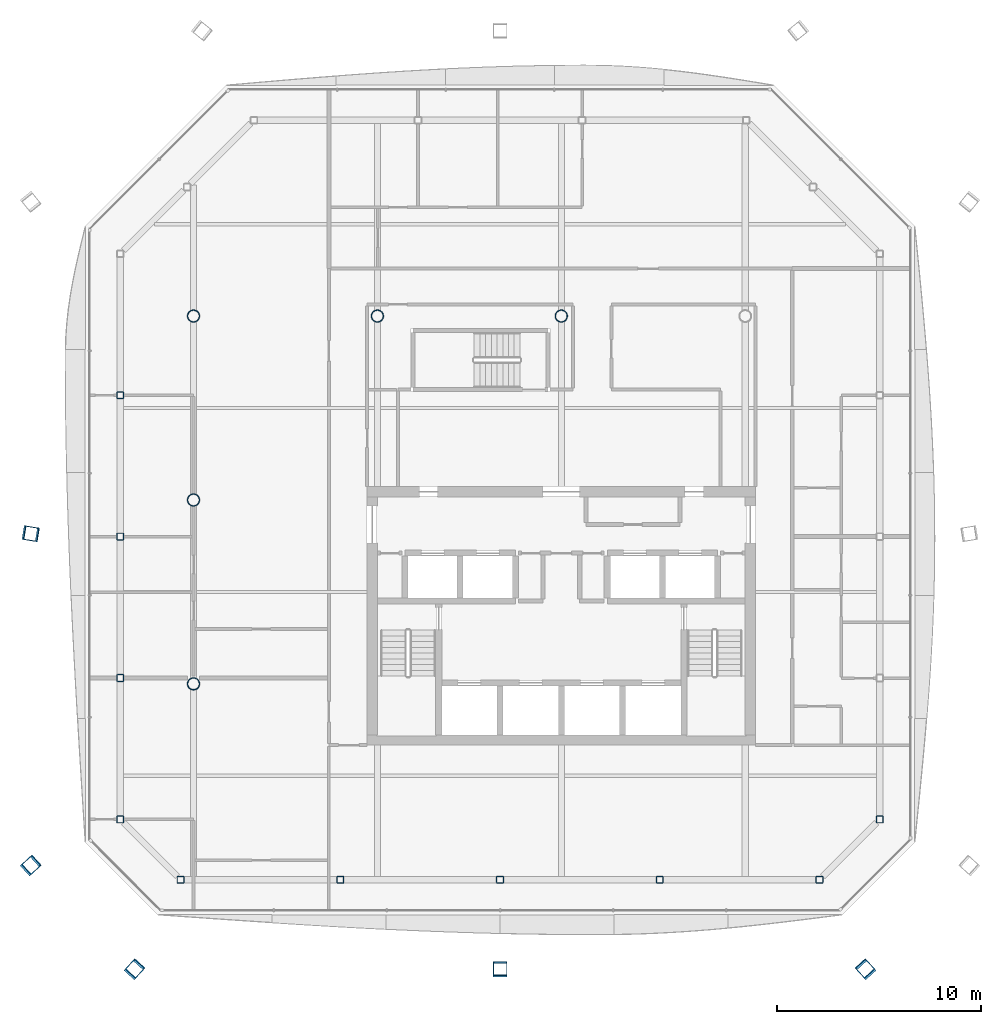
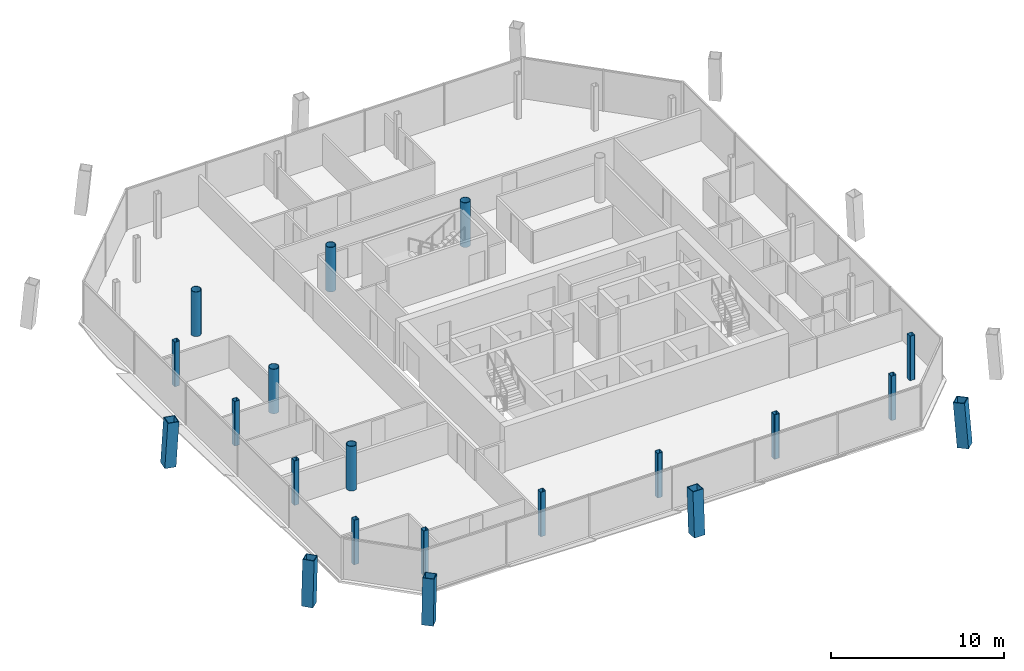
# One storey, part 1 of 20: 20 columns.
"""IFC4 building model written with IfcOpenShell, lengths in metres."""

import ifcopenshell
import ifcopenshell.guid

model = None  # the IFC model being written
_history = None  # IfcOwnerHistory: only IFC2X3 demands one
_inside = {}  # id of a spatial element -> (the spatial element, [elements in it])
_under = {}  # id of a project, library or spatial element -> (it, [spatial elements below it])
_declared = {}  # id of a project -> (the project, [libraries it declares])
_typed = {}  # id of a type object -> (the type object, [elements of that type])
_made_of = {}  # id of a material, layer set ... -> (it, [elements and type objects made of it])


def new_model(schema):
    """Start an empty IFC model of exactly this schema.

    Asked for "IFC4X3", IfcOpenShell would pick the latest addendum, in which some entities
    have other attributes; the version numbers below select the first issue.
    IFC2X3 requires an IfcOwnerHistory on every rooted entity: one is made here for all.
    """
    global model, _history
    if schema == "IFC4X3":
        model = ifcopenshell.file(schema_version=(4, 3, 0, 0))
    else:
        model = ifcopenshell.file(schema=schema)
    _inside.clear()
    _under.clear()
    _declared.clear()
    _typed.clear()
    _made_of.clear()
    _history = None
    if model.schema == "IFC2X3":
        org = make("IfcOrganization", Name="unknown")
        user = make(
            "IfcPersonAndOrganization",
            ThePerson=make("IfcPerson", FamilyName="unknown"),
            TheOrganization=org,
        )
        app = make(
            "IfcApplication",
            ApplicationDeveloper=org,
            Version="unknown",
            ApplicationFullName="unknown",
            ApplicationIdentifier="unknown",
        )
        _history = make(
            "IfcOwnerHistory",
            OwningUser=user,
            OwningApplication=app,
            ChangeAction="ADDED",
            CreationDate=0,
        )
    return model


def make(cls, **values):
    """One entity of the class cls with the attributes given. An attribute that is None is left unset."""
    return model.create_entity(
        cls, **{name: value for name, value in values.items() if value is not None}
    )


def rooted(cls, **values):
    """An entity with a GlobalId (a new one), such as an element, a storey or a relation."""
    return make(cls, GlobalId=ifcopenshell.guid.new(), OwnerHistory=_history, **values)


def si_unit(unit_type, name, prefix=None):
    """IfcSIUnit, for example si_unit("LENGTHUNIT", "METRE", prefix="MILLI")."""
    return make("IfcSIUnit", UnitType=unit_type, Prefix=prefix, Name=name)


def assignment(units):
    """IfcUnitAssignment: the units of a project."""
    return None if units is None else make("IfcUnitAssignment", Units=units)


def point(xyz):
    """IfcCartesianPoint."""
    return None if xyz is None else make("IfcCartesianPoint", Coordinates=xyz)


def direction(xyz):
    """IfcDirection."""
    return None if xyz is None else make("IfcDirection", DirectionRatios=xyz)


def frame(location, z_axis=None, x_axis=None):
    """IfcAxis2Placement3D, a coordinate frame: its origin and axes. An axis left out is left unset."""
    return make(
        "IfcAxis2Placement3D",
        Location=point(location),
        Axis=direction(z_axis),
        RefDirection=direction(x_axis),
    )


def frame_2d(location, x_axis=None):
    """IfcAxis2Placement2D, a coordinate frame in the plane: its origin and x axis."""
    return make(
        "IfcAxis2Placement2D", Location=point(location), RefDirection=direction(x_axis)
    )


def origin():
    """The frame at (0, 0, 0) with its axes left unset."""
    return frame((0.0, 0.0, 0.0))


def origin_2d():
    """The frame at (0, 0) in the plane with its x axis left unset."""
    return frame_2d((0.0, 0.0))


def place(relative_to, where):
    """IfcLocalPlacement: puts the frame where relative to a parent placement (None: the world)."""
    return make(
        "IfcLocalPlacement", PlacementRelTo=relative_to, RelativePlacement=where
    )


def context(
    kind, dimensions, precision=None, world=None, true_north=None, identifier=None
):
    """IfcGeometricRepresentationContext, for example the 3D "Model" context."""
    return make(
        "IfcGeometricRepresentationContext",
        ContextIdentifier=identifier,
        ContextType=kind,
        CoordinateSpaceDimension=dimensions,
        Precision=precision,
        WorldCoordinateSystem=world,
        TrueNorth=true_north,
    )


def subcontext(parent, identifier, kind, view, scale=None):
    """IfcGeometricRepresentationSubContext, for example "Body" below "Model"."""
    return make(
        "IfcGeometricRepresentationSubContext",
        ContextIdentifier=identifier,
        ContextType=kind,
        ParentContext=parent,
        TargetScale=scale,
        TargetView=view,
    )


def project(units=None, contexts=None):
    """IfcProject with its units and contexts."""
    return rooted(
        "IfcProject",
        Name="project",
        RepresentationContexts=contexts,
        UnitsInContext=assignment(units),
    )


def spatial(cls, under=None, at=None, **own):
    """A site, building, storey or space (cls), placed at a placement, below another one or the project."""
    s = rooted(cls, ObjectPlacement=at, **own)
    if under is not None:
        _under.setdefault(under.id(), (under, []))[1].append(s)
    return s


def profile(cls, at=None, kind="AREA", **sizes):
    """A parametric profile (cls). Its sizes go by their IFC names, for example OverallWidth=200.0."""
    return make(cls, ProfileType=kind, Position=at, **sizes)


def hollow_rectangle(**sizes):
    """IfcRectangleHollowProfileDef."""
    return profile("IfcRectangleHollowProfileDef", **sizes)


def hollow_circle(**sizes):
    """IfcCircleHollowProfileDef."""
    return profile("IfcCircleHollowProfileDef", **sizes)


def extrude(swept, where, along, depth):
    """IfcExtrudedAreaSolid: the profile swept, set in the frame where, extruded along a direction by depth."""
    return make(
        "IfcExtrudedAreaSolid",
        SweptArea=swept,
        Position=where,
        ExtrudedDirection=direction(along),
        Depth=depth,
    )


def shape(context_of_items, identifier, shape_type, items):
    """IfcShapeRepresentation: the items that make up one representation, for example the "Body"."""
    return make(
        "IfcShapeRepresentation",
        ContextOfItems=context_of_items,
        RepresentationIdentifier=identifier,
        RepresentationType=shape_type,
        Items=items,
    )


def material(Name=None, Category=None):
    """IfcMaterial."""
    return make("IfcMaterial", Name=Name, Category=Category)


def material_profile(
    of_material, cross_section, Name=None, Category=None, Priority=None
):
    """IfcMaterialProfile: a cross section and its material."""
    return make(
        "IfcMaterialProfile",
        Name=Name,
        Material=of_material,
        Profile=cross_section,
        Priority=Priority,
        Category=Category,
    )


def profile_set(profiles, Name=None, composite=None):
    """IfcMaterialProfileSet."""
    return make(
        "IfcMaterialProfileSet",
        Name=Name,
        MaterialProfiles=profiles,
        CompositeProfile=composite,
    )


def made_of(thing, what):
    """Note that an element or type object is made of a material, layer set ...; save() writes the relation."""
    if what is not None:
        _made_of.setdefault(what.id(), (what, []))[1].append(thing)
    return thing


def type_object(cls, material=None, **own):
    """A type object (cls), such as IfcWallType, which elements share."""
    return made_of(rooted(cls, **own), material)


def element(
    cls,
    number,
    at=None,
    inside=None,
    cuts=None,
    type_object=None,
    material=None,
    context=None,
    identifier="Body",
    shape_type=None,
    held_by="IfcProductDefinitionShape",
    body=None,
    shapes=None,
    **own,
):
    """One element of the class cls, such as IfcWall. Its Tag is "e" and its number.

    at: its placement. inside: the storey or other place that contains it. cuts: it is an
    opening in that element (IfcRelVoidsElement). A single representation is given by context,
    identifier, shape_type and body (its items); several are given by shapes. held_by: the class
    of the entity that holds the representations. save() writes the other relations.
    """
    e = rooted(cls, Tag="e%d" % number, ObjectPlacement=at, **own)
    if body is not None:
        shapes = [shape(context, identifier, shape_type, body)]
    if shapes is not None:
        e.Representation = make(held_by, Representations=shapes)
    if inside is not None:
        _inside.setdefault(inside.id(), (inside, []))[1].append(e)
    if cuts is not None:
        rooted(
            "IfcRelVoidsElement", RelatingBuildingElement=cuts, RelatedOpeningElement=e
        )
    if type_object is not None:
        _typed.setdefault(type_object.id(), (type_object, []))[1].append(e)
    return made_of(e, material)


def aggregate(whole, parts):
    """IfcRelAggregates: a whole, such as a stair, and the parts it consists of."""
    return rooted("IfcRelAggregates", RelatingObject=whole, RelatedObjects=parts)


def save(model, path):
    """Write the relations noted so far, then the file.

    IfcRelAggregates (storeys below a building ...), IfcRelContainedInSpatialStructure (elements
    in a storey), IfcRelDefinesByType, IfcRelAssociatesMaterial and IfcRelDeclares: one each for
    every whole, place, type object, material and project.
    """
    for whole, parts in _under.values():
        aggregate(whole, parts)
    for where, things in _inside.values():
        rooted(
            "IfcRelContainedInSpatialStructure",
            RelatedElements=things,
            RelatingStructure=where,
        )
    for kind, things in _typed.values():
        rooted("IfcRelDefinesByType", RelatedObjects=things, RelatingType=kind)
    for what, things in _made_of.values():
        rooted("IfcRelAssociatesMaterial", RelatedObjects=things, RelatingMaterial=what)
    for by, libraries in _declared.values():
        rooted("IfcRelDeclares", RelatingContext=by, RelatedDefinitions=libraries)
    model.write(path)


model = new_model("IFC4")

# Units and contexts
model_context = context("Model", 3, precision=1e-05, world=origin(), true_north=direction((0.0, 1.0)))
body_context = subcontext(model_context, "Body", "Model", "MODEL_VIEW")
ifc_project = project(units=[si_unit("LENGTHUNIT", "METRE"), si_unit("AREAUNIT", "SQUARE_METRE"), si_unit("VOLUMEUNIT", "CUBIC_METRE"), si_unit("PLANEANGLEUNIT", "RADIAN"), si_unit("MASSUNIT", "GRAM", prefix="KILO")], contexts=[model_context])

# Site, building, storey
site_placement = place(None, origin())
site = spatial("IfcSite", under=ifc_project, at=site_placement, CompositionType="ELEMENT")
building_placement = place(site_placement, origin())
building = spatial("IfcBuilding", under=site, at=building_placement, Name="Tskaro Facet Tower", CompositionType="ELEMENT")
storey_placement = place(building_placement, frame((0.0, 0.0, 194.25)))
storey = spatial("IfcBuildingStorey", under=building, at=storey_placement, Name="L49", CompositionType="ELEMENT", Elevation=194.25)

# Columns
ifc_material_1 = material(Name="Steel S460M", Category="steel")
ifc_material_profile_1 = material_profile(ifc_material_1, hollow_rectangle(XDim=0.699951171875, YDim=0.699951171875, WallThickness=0.044921875, at=origin_2d()), Name="BOX 700x700x45")
ifc_profile_set_1 = profile_set([ifc_material_profile_1], Name="Steel S460M")
column_type_1 = type_object("IfcColumnType", Name="BOX 700x700x45 mega column", PredefinedType="COLUMN", material=ifc_profile_set_1)
column_1_placement = place(storey_placement, frame((-20.91796875, -22.998046875, 0.0), z_axis=(0.052851719252, 0.057951446548, 0.996919417814), x_axis=(-0.738869281565, 0.673848784787, 0.0)))
element("IfcColumn", 1, at=column_1_placement, inside=storey, type_object=column_type_1, Name="BOX 700x700x45 MC01/4", PredefinedType="COLUMN", context=body_context, shape_type="SweptSolid", body=[
    extrude(hollow_rectangle(XDim=0.699951171875, YDim=0.699951171875, WallThickness=0.044921875, at=origin_2d()), origin(), (0.0, 0.0, 1.0), 3.15966796875),
])
column_2_placement = place(storey_placement, frame((-3.0, -22.998046875, 0.0), z_axis=(0.0, 0.058032554517, 0.998314691175), x_axis=(-1.0, 0.0, 0.0)))
element("IfcColumn", 2, at=column_2_placement, inside=storey, type_object=column_type_1, Name="BOX 700x700x45 MC02/4", PredefinedType="COLUMN", context=body_context, shape_type="SweptSolid", body=[
    extrude(hollow_rectangle(XDim=0.699951171875, YDim=0.699951171875, WallThickness=0.044921875, at=origin_2d()), origin(), (0.0, 0.0, 1.0), 3.1552734375),
])
column_3_placement = place(storey_placement, frame((14.91796875, -22.998046875, 0.0), z_axis=(-0.052851719252, 0.057951446548, 0.996919417814), x_axis=(-0.738869281565, -0.673848784787, 0.0)))
element("IfcColumn", 3, at=column_3_placement, inside=storey, type_object=column_type_1, Name="BOX 700x700x45 MC03/4", PredefinedType="COLUMN", context=body_context, shape_type="SweptSolid", body=[
    extrude(hollow_rectangle(XDim=0.699951171875, YDim=0.699951171875, WallThickness=0.044921875, at=origin_2d()), origin(), (0.0, 0.0, 1.0), 3.15966796875),
])
column_4_placement = place(storey_placement, frame((-25.998046875, -1.64404296875, 0.0), z_axis=(0.058029926409, -0.009516907931, 0.998269480704), x_axis=(0.161838042552, 0.986817332632, 0.0)))
element("IfcColumn", 4, at=column_4_placement, inside=storey, type_object=column_type_1, Name="BOX 700x700x45 MC11/4", PredefinedType="COLUMN", context=body_context, shape_type="SweptSolid", body=[
    extrude(hollow_rectangle(XDim=0.699951171875, YDim=0.699951171875, WallThickness=0.044921875, at=origin_2d()), origin(), (0.0, 0.0, 1.0), 3.1552734375),
])
column_5_placement = place(storey_placement, frame((-25.998046875, -17.91796875, 0.0), z_axis=(0.057951446548, 0.052851719252, 0.996919417814), x_axis=(-0.673848784787, 0.738869281565, 0.0)))
element("IfcColumn", 5, at=column_5_placement, inside=storey, type_object=column_type_1, Name="BOX 700x700x45 MC12/4", PredefinedType="COLUMN", context=body_context, shape_type="SweptSolid", body=[
    extrude(hollow_rectangle(XDim=0.699951171875, YDim=0.699951171875, WallThickness=0.044921875, at=origin_2d()), origin(), (0.0, 0.0, 1.0), 3.15966796875),
])
ifc_material_2 = material(Name="Steel S355J2H", Category="steel")
ifc_material_profile_2 = material_profile(ifc_material_2, hollow_circle(Radius=0.304931640625, WallThickness=0.030029296875, at=origin_2d()), Name="CHS 610x30")
ifc_profile_set_2 = profile_set([ifc_material_profile_2], Name="Steel S355J2H")
column_type_2 = type_object("IfcColumnType", Name="CHS 610x30 interior column", PredefinedType="COLUMN", material=ifc_profile_set_2)
for number, where, z_axis, x_axis, name in (
    (6, (-18.0, -9.0, 0.0), (0.0, 0.0, 1.0), (1.0, 0.0, 0.0), "CHS 610x30 C2C/4"),
    (7, (-18.0, 0.0, 0.0), (0.0, 0.0, 1.0), (1.0, 0.0, 0.0), "CHS 610x30 C2D/4"),
    (8, (-18.0, 9.0, 0.0), (0.0, 0.0, 1.0), (1.0, 0.0, 0.0), "CHS 610x30 C2E/4"),
    (9, (-9.0, 9.0, 0.0), (0.0, 0.0, 1.0), (1.0, 0.0, 0.0), "CHS 610x30 C3E/4"),
    (10, (0.0, 9.0, 0.0), (0.0, 0.0, 1.0), (1.0, 0.0, 0.0), "CHS 610x30 C4E/4"),
):
    element("IfcColumn", number, at=place(storey_placement, frame(where, z_axis=z_axis, x_axis=x_axis)), inside=storey, type_object=column_type_2, Name=name, PredefinedType="COLUMN", context=body_context, shape_type="SweptSolid", body=[
        extrude(hollow_circle(Radius=0.304931640625, WallThickness=0.030029296875, at=origin_2d()), origin(), (0.0, 0.0, 1.0), 3.14990234375),
    ])
ifc_material_profile_3 = material_profile(ifc_material_2, hollow_rectangle(XDim=0.35009765625, YDim=0.35009765625, WallThickness=0.02001953125, InnerFilletRadius=0.030029296875, OuterFilletRadius=0.050048828125, at=origin_2d()), Name="SHS 350x350x20")
ifc_profile_set_3 = profile_set([ifc_material_profile_3], Name="Steel S355J2H")
column_type_3 = type_object("IfcColumnType", Name="SHS 350x350x20 ring column", PredefinedType="COLUMN", material=ifc_profile_set_3)
for number, where, z_axis, x_axis, name in (
    (11, (-18.633056640625, -18.5830078125, 0.0), (0.0, 0.0, 1.0), (1.0, 0.0, 0.0), "SHS 350x350x20 RS-1/4"),
    (12, (-10.81591796875, -18.5830078125, 0.0), (0.0, 0.0, 1.0), (1.0, 0.0, 0.0), "SHS 350x350x20 RS-2/4"),
    (13, (-3.0, -18.5830078125, 0.0), (0.0, 0.0, 1.0), (1.0, 0.0, 0.0), "SHS 350x350x20 RS-3/4"),
    (14, (4.81689453125, -18.5830078125, 0.0), (0.0, 0.0, 1.0), (1.0, 0.0, 0.0), "SHS 350x350x20 RS-4/4"),
    (15, (12.633056640625, -18.5830078125, 0.0), (0.0, 0.0, 1.0), (1.0, 0.0, 0.0), "SHS 350x350x20 RSE-1/4"),
    (16, (15.5830078125, -15.633056640625, 0.0), (0.0, 0.0, 1.0), (1.0, 0.0, 0.0), "SHS 350x350x20 RE-1/4"),
    (17, (-21.5830078125, 5.1259765625, 0.0), (0.0, 0.0, 1.0), (1.0, 0.0, 0.0), "SHS 350x350x20 RW-2/4"),
    (18, (-21.5830078125, -1.79296875, 0.0), (0.0, 0.0, 1.0), (1.0, 0.0, 0.0), "SHS 350x350x20 RW-3/4"),
    (19, (-21.5830078125, -8.712890625, 0.0), (0.0, 0.0, 1.0), (1.0, 0.0, 0.0), "SHS 350x350x20 RW-4/4"),
    (20, (-21.5830078125, -15.633056640625, 0.0), (0.0, 0.0, 1.0), (1.0, 0.0, 0.0), "SHS 350x350x20 RSW-1/4"),
):
    element("IfcColumn", number, at=place(storey_placement, frame(where, z_axis=z_axis, x_axis=x_axis)), inside=storey, type_object=column_type_3, Name=name, PredefinedType="COLUMN", context=body_context, shape_type="SweptSolid", body=[
        extrude(hollow_rectangle(XDim=0.35009765625, YDim=0.35009765625, WallThickness=0.02001953125, InnerFilletRadius=0.030029296875, OuterFilletRadius=0.050048828125, at=origin_2d()), origin(), (0.0, 0.0, 1.0), 3.14990234375),
    ])

save(model, "model.ifc")
